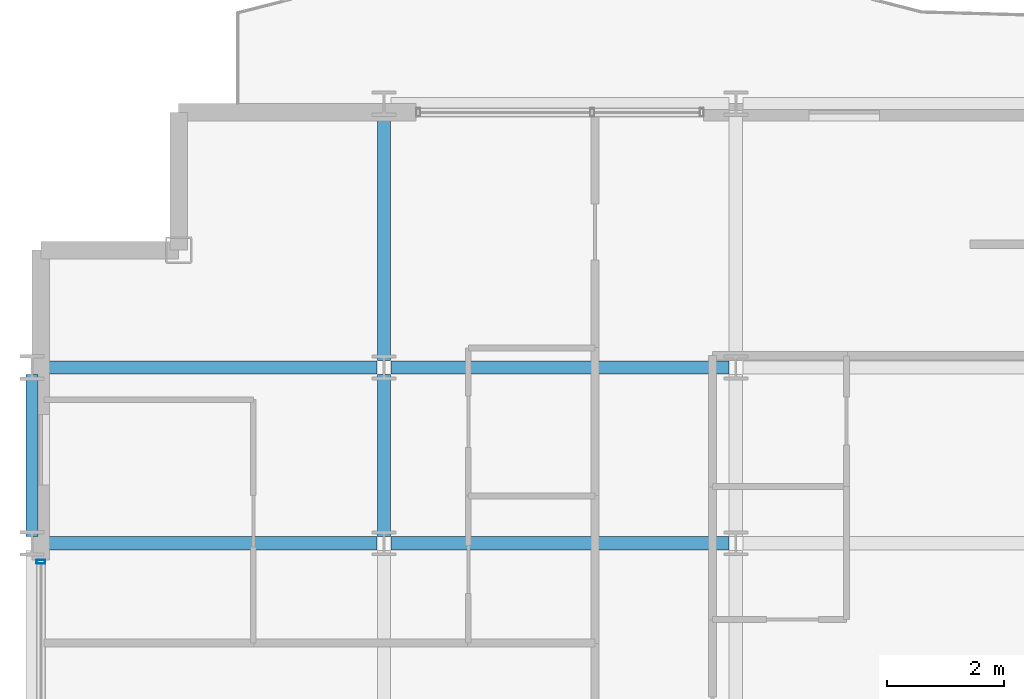
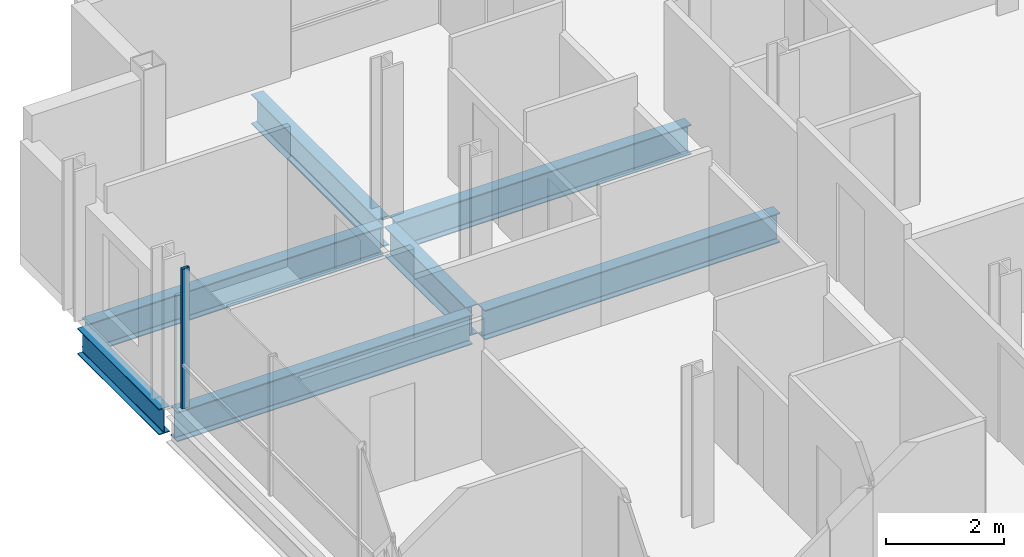
# One storey, part 7 of 40: 7 beams, 1 member, 1 element without a shape of its own.
"""IFC4 building model written with IfcOpenShell, lengths in metres."""

from ifc_helpers import new_model, si_unit, direction, frame, origin, origin_2d, place, context, subcontext, project, spatial, hollow_rectangle, i_section, extrude, material, layer, layer_set, material_profile, profile_set, type_object, element, aggregate, save


model = new_model("IFC4")

# Units and contexts
model_context = context("Model", 3, precision=1e-05, world=origin(), true_north=direction((0.0, 1.0)))
body_context = subcontext(model_context, "Body", "Model", "MODEL_VIEW")
ifc_project = project(units=[si_unit("LENGTHUNIT", "METRE"), si_unit("AREAUNIT", "SQUARE_METRE"), si_unit("VOLUMEUNIT", "CUBIC_METRE"), si_unit("PLANEANGLEUNIT", "RADIAN"), si_unit("MASSUNIT", "GRAM", prefix="KILO")], contexts=[model_context])

# Site, building, storey
site_placement = place(None, origin())
site = spatial("IfcSite", under=ifc_project, at=site_placement, CompositionType="ELEMENT")
building_placement = place(site_placement, origin())
building = spatial("IfcBuilding", under=site, at=building_placement, Name="Brevholm Reach", CompositionType="ELEMENT")
storey_placement = place(building_placement, frame((0.0, 0.0, 119.0)))
storey = spatial("IfcBuildingStorey", under=building, at=storey_placement, Name="L35", CompositionType="ELEMENT", Elevation=119.0)

# Beams
ifc_material_1 = material(Name="Structural Steel S355J2", Category="steel")
ifc_material_profile_1 = material_profile(ifc_material_1, i_section(OverallWidth=0.209228515625, OverallDepth=0.533203125, WebThickness=0.010009765625, FlangeThickness=0.015625, FilletRadius=0.0126953125, at=origin_2d()), Name="UKB 533x210x92")
ifc_profile_set_1 = profile_set([ifc_material_profile_1], Name="Structural Steel S355J2")
beam_type_1 = type_object("IfcBeamType", Name="BM-SP533", PredefinedType="SPANDREL", material=ifc_profile_set_1)
beam_1_placement = place(storey_placement, frame((0.0, 23.6201171875, -0.486572265625), z_axis=(0.0, 1.0, 0.0), x_axis=(-1.0, 0.0, 0.0)))
element("IfcBeam", 1, at=beam_1_placement, inside=storey, type_object=beam_type_1, Name="L35 SP-02 Framing Beam", PredefinedType="SPANDREL", context=body_context, shape_type="SweptSolid", body=[
    extrude(i_section(OverallWidth=0.209228515625, OverallDepth=0.533203125, WebThickness=0.010009765625, FlangeThickness=0.015625, FilletRadius=0.0126953125, at=origin_2d()), origin(), (0.0, 0.0, 1.0), 2.759765625),
])
ifc_material_2 = material(Name="Structural Steel S355J2", Category="steel")
ifc_material_profile_2 = material_profile(ifc_material_2, i_section(OverallWidth=0.22900390625, OverallDepth=0.6123046875, WebThickness=0.011962890625, FlangeThickness=0.01953125, FilletRadius=0.0126953125, at=origin_2d()), Name="UKB 610x229x125")
ifc_profile_set_2 = profile_set([ifc_material_profile_2], Name="Structural Steel S355J2")
beam_type_2 = type_object("IfcBeamType", Name="BM-SP610", PredefinedType="SPANDREL", material=ifc_profile_set_2)
for number, where, z_axis, x_axis, name in (
    (2, (0.1201171875, 23.5, -0.526123046875), (1.0, 0.0, 0.0), (0.0, 1.0, 0.0), "L35 SP-01 Framing Beam"),
    (3, (6.1201171875, 23.5, -0.526123046875), (1.0, 0.0, 0.0), (0.0, 1.0, 0.0), "L35 SP-01 Framing Beam"),
    (4, (0.1201171875, 26.5, -0.526123046875), (1.0, 0.0, 0.0), (0.0, 1.0, 0.0), "L35 SP-01 Framing Beam"),
    (5, (6.1201171875, 26.5, -0.526123046875), (1.0, 0.0, 0.0), (0.0, 1.0, 0.0), "L35 SP-01 Framing Beam"),
):
    element("IfcBeam", number, at=place(storey_placement, frame(where, z_axis=z_axis, x_axis=x_axis)), inside=storey, type_object=beam_type_2, Name=name, PredefinedType="SPANDREL", context=body_context, shape_type="SweptSolid", body=[
        extrude(i_section(OverallWidth=0.22900390625, OverallDepth=0.6123046875, WebThickness=0.011962890625, FlangeThickness=0.01953125, FilletRadius=0.0126953125, at=origin_2d()), origin(), (0.0, 0.0, 1.0), 5.759765625),
    ])
beam_2_placement = place(storey_placement, frame((6.0, 23.6201171875, -0.526123046875), z_axis=(0.0, 1.0, 0.0), x_axis=(-1.0, 0.0, 0.0)))
element("IfcBeam", 6, at=beam_2_placement, inside=storey, type_object=beam_type_2, Name="L35 SP-01 Framing Beam", PredefinedType="SPANDREL", context=body_context, shape_type="SweptSolid", body=[
    extrude(i_section(OverallWidth=0.22900390625, OverallDepth=0.6123046875, WebThickness=0.011962890625, FlangeThickness=0.01953125, FilletRadius=0.0126953125, at=origin_2d()), origin(), (0.0, 0.0, 1.0), 2.759765625),
])
beam_3_placement = place(storey_placement, frame((6.0, 26.6201171875, -0.526123046875), z_axis=(0.0, 1.0, 0.0), x_axis=(-1.0, 0.0, 0.0)))
element("IfcBeam", 7, at=beam_3_placement, inside=storey, type_object=beam_type_2, Name="L35 SP-01 Framing Beam", PredefinedType="SPANDREL", context=body_context, shape_type="SweptSolid", body=[
    extrude(i_section(OverallWidth=0.22900390625, OverallDepth=0.6123046875, WebThickness=0.011962890625, FlangeThickness=0.01953125, FilletRadius=0.0126953125, at=origin_2d()), origin(), (0.0, 0.0, 1.0), 4.259765625),
])

# Curtain wall, member
ifc_material_3 = material(Name="Dark Anodised Aluminium 6063-T6 and Solar-Control Glass", Category="aluminium")
ifc_layer = layer(ifc_material_3, 0.14990234375)
ifc_layer_set = layer_set([ifc_layer], Name="Dark Anodised Aluminium 6063-T6 and Solar-Control Glass")
curtain_wall_type = type_object("IfcCurtainWallType", Name="CW-01", PredefinedType="NOTDEFINED", material=ifc_layer_set)
curtain_wall_placement = place(storey_placement, origin())
curtain_wall = element("IfcCurtainWall", 8, at=curtain_wall_placement, inside=storey, type_object=curtain_wall_type, Name="L35 Curtain Wall CW-01", PredefinedType="NOTDEFINED")
ifc_material_4 = material(Name="Dark Anodised Aluminium 6063-T6", Category="aluminium")
ifc_material_profile_3 = material_profile(ifc_material_4, hollow_rectangle(XDim=0.06494140625, YDim=0.14990234375, WallThickness=0.0048828125, InnerFilletRadius=0.0048828125, OuterFilletRadius=0.010009765625, at=origin_2d()), Name="RHS 150x65x5")
ifc_profile_set_3 = profile_set([ifc_material_profile_3], Name="Dark Anodised Aluminium 6063-T6")
member_type = type_object("IfcMemberType", Name="CWM-150", PredefinedType="MULLION", material=ifc_profile_set_3)
member_placement = place(storey_placement, frame((0.14990234375, 23.1875, 0.0), z_axis=(0.0, 0.0, 1.0), x_axis=(0.0, -1.0, 0.0)))
member = element("IfcMember", 9, at=member_placement, type_object=member_type, Name="CM-150 Mullion 1", PredefinedType="MULLION", context=body_context, shape_type="SweptSolid", body=[
    extrude(hollow_rectangle(XDim=0.06494140625, YDim=0.14990234375, WallThickness=0.0048828125, InnerFilletRadius=0.0048828125, OuterFilletRadius=0.010009765625, at=origin_2d()), origin(), (0.0, 0.0, 1.0), 2.8798828125),
])
aggregate(curtain_wall, [member])

save(model, "model.ifc")
